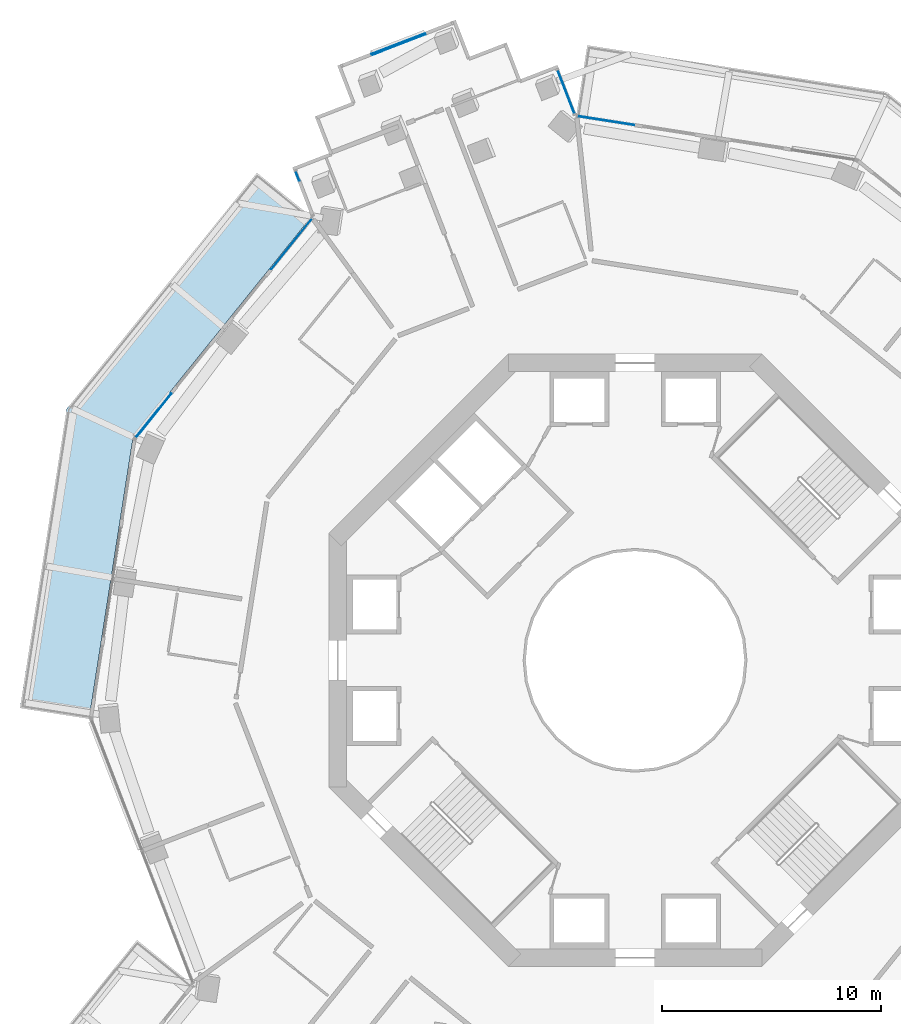
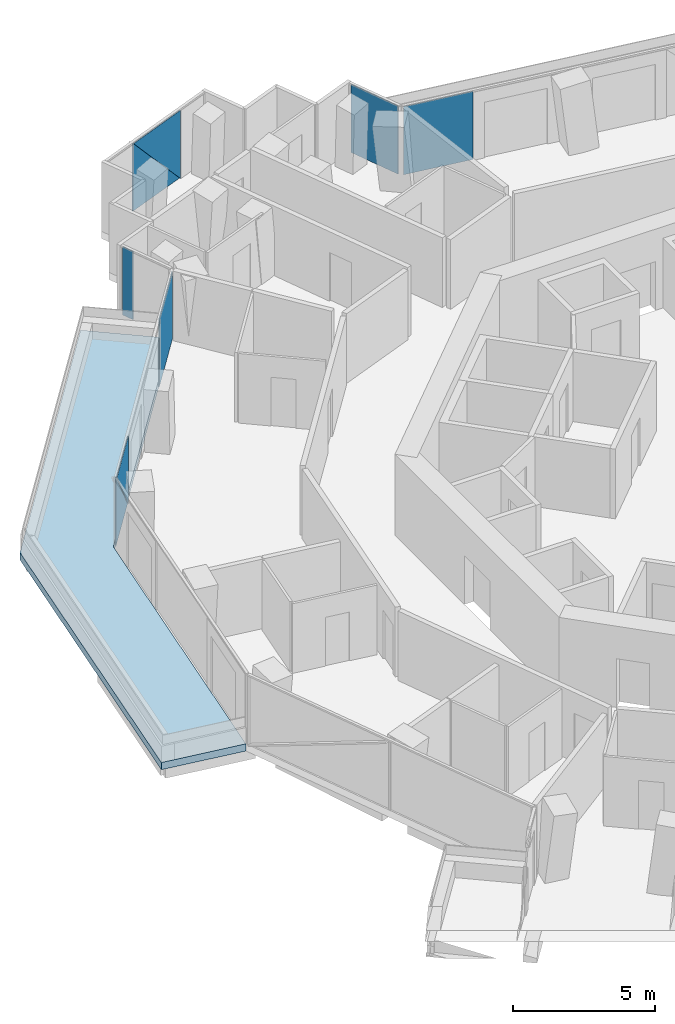
# One storey, part 13 of 23: 8 plates, 1 slab, 5 elements without a shape of their own.
"""IFC4 building model written with IfcOpenShell, lengths in metres."""

from ifc_helpers import new_model, si_unit, direction, frame, origin, origin_2d, place, context, subcontext, project, spatial, polyline, rectangle, outline, extrude, material, layer, layer_set, type_object, element, aggregate, save


model = new_model("IFC4")

# Units and contexts
model_context = context("Model", 3, precision=1e-05, world=origin(), true_north=direction((0.0, 1.0)))
body_context = subcontext(model_context, "Body", "Model", "MODEL_VIEW")
ifc_project = project(units=[si_unit("LENGTHUNIT", "METRE"), si_unit("AREAUNIT", "SQUARE_METRE"), si_unit("VOLUMEUNIT", "CUBIC_METRE"), si_unit("PLANEANGLEUNIT", "RADIAN"), si_unit("MASSUNIT", "GRAM", prefix="KILO")], contexts=[model_context])

# Site, building, storey
site_placement = place(None, origin())
site = spatial("IfcSite", under=ifc_project, at=site_placement, CompositionType="ELEMENT")
building_placement = place(site_placement, origin())
building = spatial("IfcBuilding", under=site, at=building_placement, Name="Verdalira Terraces Hotel", CompositionType="ELEMENT")
storey_placement = place(building_placement, frame((0.0, 0.0, 118.5)))
storey = spatial("IfcBuildingStorey", under=building, at=storey_placement, Name="L28", CompositionType="ELEMENT", Elevation=118.5)

# Slab
ifc_material_1 = material(Name="Precast concrete C40/50", Category="concrete")
ifc_layer_1 = layer(ifc_material_1, 0.31005859375)
ifc_layer_set_1 = layer_set([ifc_layer_1], Name="Balcony deck 310")
slab_type = type_object("IfcSlabType", Name="Balcony deck 310", PredefinedType="FLOOR", material=ifc_layer_set_1)
slab_placement = place(storey_placement, frame((0.0, 0.0, -0.310059)))
element("IfcSlab", 1, at=slab_placement, inside=storey, type_object=slab_type, Name="Balcony deck", PredefinedType="FLOOR", context=body_context, shape_type="SweptSolid", body=[
    extrude(outline(polyline([(-25.993408, 11.507812), (-28.132568, -2.18335), (-24.970947, -2.67749), (-22.964111, 10.166748), (-14.804199, 20.286865), (-17.295166, 22.29541), (-25.993408, 11.507812)])), origin(), (0.0, 0.0, 1.0), 0.310059),
])

# Curtain wall, plates
ifc_material_2 = material(Name="Clear glass", Category="glass")
ifc_layer_2 = layer(ifc_material_2, 0.14990234375)
ifc_layer_set_2 = layer_set([ifc_layer_2], Name="CW1 curtain wall")
curtain_wall_type_1 = type_object("IfcCurtainWallType", Name="CW1 curtain wall", PredefinedType="NOTDEFINED", material=ifc_layer_set_2)
curtain_wall_1_placement = place(storey_placement, origin())
curtain_wall_1 = element("IfcCurtainWall", 2, at=curtain_wall_1_placement, inside=storey, type_object=curtain_wall_type_1, Name="CW1 curtain wall L28 edge 11", PredefinedType="NOTDEFINED")
ifc_material_3 = material(Name="Clear glass", Category="glass")
ifc_layer_3 = layer(ifc_material_3, 0.028076171875)
ifc_layer_set_3 = layer_set([ifc_layer_3], Name="CW1 glass unit 28")
plate_type_1 = type_object("IfcPlateType", Name="CW1 glass unit 28", PredefinedType="CURTAIN_PANEL", material=ifc_layer_set_3)
plate_1_placement = place(storey_placement, frame((-15.714111, 19.038818, 0.0), z_axis=(0.0, 0.0, 1.0), x_axis=(-0.627691361, -0.778462302, 0.0)))
plate_1 = element("IfcPlate", 3, at=plate_1_placement, type_object=plate_type_1, Name="CW1 glass unit", PredefinedType="CURTAIN_PANEL", context=body_context, shape_type="SweptSolid", body=[
    extrude(rectangle(XDim=2.965088, YDim=0.028076, at=origin_2d()), origin(), (0.0, 0.0, 1.0), 2.935059),
])
plate_2_placement = place(storey_placement, frame((-22.020508, 11.195312, 1.467529), z_axis=(-0.778462302, 0.627691361, 0.0), x_axis=(-0.627691361, -0.778462302, 0.0)))
plate_2 = element("IfcPlate", 4, at=plate_2_placement, type_object=plate_type_1, Name="CW1 glass unit", PredefinedType="CURTAIN_PANEL", context=body_context, shape_type="SweptSolid", body=[
    extrude(outline(polyline([(-1.292969, -1.467529), (1.292969, -1.467529), (1.292969, 1.467529), (-1.292969, -1.467529)])), origin(), (0.0, 0.0, 1.0), 0.028076),
])
plate_3_placement = place(storey_placement, frame((-21.998047, 11.177002, 1.467529), z_axis=(-0.778462302, 0.627691361, 0.0), x_axis=(-0.627691361, -0.778462302, 0.0)))
plate_3 = element("IfcPlate", 5, at=plate_3_placement, type_object=plate_type_1, Name="CW1 glass unit", PredefinedType="CURTAIN_PANEL", context=body_context, shape_type="SweptSolid", body=[
    extrude(outline(polyline([(-1.292969, -1.467529), (1.292969, 1.467529), (-1.292969, 1.467529), (-1.292969, -1.467529)])), origin(), (0.0, 0.0, 1.0), 0.028076),
])
aggregate(curtain_wall_1, [plate_1, plate_2, plate_3])

# Curtain wall, plate
curtain_wall_2_placement = place(storey_placement, origin())
curtain_wall_2 = element("IfcCurtainWall", 6, at=curtain_wall_2_placement, inside=storey, type_object=curtain_wall_type_1, Name="CW1 curtain wall L28 edge 41", PredefinedType="NOTDEFINED")
plate_4_placement = place(storey_placement, frame((-1.33252, 24.684814, 0.0), z_axis=(0.0, 0.0, 1.0), x_axis=(-0.98801381, 0.154365514, 0.0)))
plate_4 = element("IfcPlate", 7, at=plate_4_placement, type_object=plate_type_1, Name="CW1 glass unit", PredefinedType="CURTAIN_PANEL", context=body_context, shape_type="SweptSolid", body=[
    extrude(rectangle(XDim=2.625977, YDim=0.028076, at=origin_2d()), origin(), (0.0, 0.0, 1.0), 2.935059),
])
aggregate(curtain_wall_2, [plate_4])

ifc_material_4 = material(Name="Clear glass", Category="glass")
ifc_layer_4 = layer(ifc_material_4, 0.14990234375)
ifc_layer_set_4 = layer_set([ifc_layer_4], Name="CW2 curtain wall")
curtain_wall_type_2 = type_object("IfcCurtainWallType", Name="CW2 curtain wall", PredefinedType="NOTDEFINED", material=ifc_layer_set_4)
curtain_wall_3_placement = place(storey_placement, origin())
curtain_wall_3 = element("IfcCurtainWall", 8, at=curtain_wall_3_placement, inside=storey, type_object=curtain_wall_type_2, Name="CW2 curtain wall L28 edge 0", PredefinedType="NOTDEFINED")
ifc_material_5 = material(Name="Clear glass", Category="glass")
ifc_layer_5 = layer(ifc_material_5, 0.031982421875)
ifc_layer_set_5 = layer_set([ifc_layer_5], Name="CW2 glass unit 32")
plate_type_2 = type_object("IfcPlateType", Name="CW2 glass unit 32", PredefinedType="CURTAIN_PANEL", material=ifc_layer_set_5)
plate_5_placement = place(storey_placement, frame((-3.156006, 26.001953, 0.0), z_axis=(0.0, 0.0, 1.0), x_axis=(-0.360322448, 0.932827815, 0.0)))
plate_5 = element("IfcPlate", 9, at=plate_5_placement, type_object=plate_type_2, Name="CW2 glass unit", PredefinedType="CURTAIN_PANEL", context=body_context, shape_type="SweptSolid", body=[
    extrude(rectangle(XDim=2.128418, YDim=0.031982, at=origin_2d()), origin(), (0.0, 0.0, 1.0), 2.935059),
])
aggregate(curtain_wall_3, [plate_5])

curtain_wall_4_placement = place(storey_placement, origin())
curtain_wall_4 = element("IfcCurtainWall", 10, at=curtain_wall_4_placement, inside=storey, type_object=curtain_wall_type_2, Name="CW2 curtain wall L28 edge 10", PredefinedType="NOTDEFINED")
plate_6_placement = place(storey_placement, frame((-15.443604, 22.150146, 0.0), z_axis=(0.0, 0.0, 1.0), x_axis=(0.360322448, -0.932827815, 0.0)))
plate_6 = element("IfcPlate", 11, at=plate_6_placement, type_object=plate_type_2, Name="CW2 glass unit", PredefinedType="CURTAIN_PANEL", context=body_context, shape_type="SweptSolid", body=[
    extrude(rectangle(XDim=0.459961, YDim=0.031982, at=origin_2d()), origin(), (0.0, 0.0, 1.0), 2.935059),
])
aggregate(curtain_wall_4, [plate_6])

# Curtain wall, plates
ifc_material_6 = material(Name="Clear glass", Category="glass")
ifc_layer_6 = layer(ifc_material_6, 0.14990234375)
ifc_layer_set_6 = layer_set([ifc_layer_6], Name="CW3 curtain wall")
curtain_wall_type_3 = type_object("IfcCurtainWallType", Name="CW3 curtain wall", PredefinedType="NOTDEFINED", material=ifc_layer_set_6)
curtain_wall_5_placement = place(storey_placement, origin())
curtain_wall_5 = element("IfcCurtainWall", 12, at=curtain_wall_5_placement, inside=storey, type_object=curtain_wall_type_3, Name="CW3 curtain wall L28 edge 5", PredefinedType="NOTDEFINED")
ifc_material_7 = material(Name="Clear glass", Category="glass")
ifc_layer_7 = layer(ifc_material_7, 0.035888671875)
ifc_layer_set_7 = layer_set([ifc_layer_7], Name="CW3 glass unit 36")
plate_type_3 = type_object("IfcPlateType", Name="CW3 glass unit 36", PredefinedType="CURTAIN_PANEL", material=ifc_layer_set_7)
plate_7_placement = place(storey_placement, frame((-10.814697, 28.179932, 1.467529), z_axis=(-0.360322448, 0.932827815, 0.0), x_axis=(-0.932827815, -0.360322448, 0.0)))
plate_7 = element("IfcPlate", 13, at=plate_7_placement, type_object=plate_type_3, Name="CW3 glass unit", PredefinedType="CURTAIN_PANEL", context=body_context, shape_type="SweptSolid", body=[
    extrude(outline(polyline([(-1.315918, -1.467529), (1.315918, -1.467529), (1.315918, 1.467529), (-1.315918, -1.467529)])), origin(), (0.0, 0.0, 1.0), 0.035889),
])
plate_8_placement = place(storey_placement, frame((-10.80127, 28.145508, 1.467529), z_axis=(-0.360322448, 0.932827815, 0.0), x_axis=(-0.932827815, -0.360322448, 0.0)))
plate_8 = element("IfcPlate", 14, at=plate_8_placement, type_object=plate_type_3, Name="CW3 glass unit", PredefinedType="CURTAIN_PANEL", context=body_context, shape_type="SweptSolid", body=[
    extrude(outline(polyline([(-1.315918, -1.467529), (1.315918, 1.467529), (-1.315918, 1.467529), (-1.315918, -1.467529)])), origin(), (0.0, 0.0, 1.0), 0.035889),
])
aggregate(curtain_wall_5, [plate_7, plate_8])

save(model, "model.ifc")
